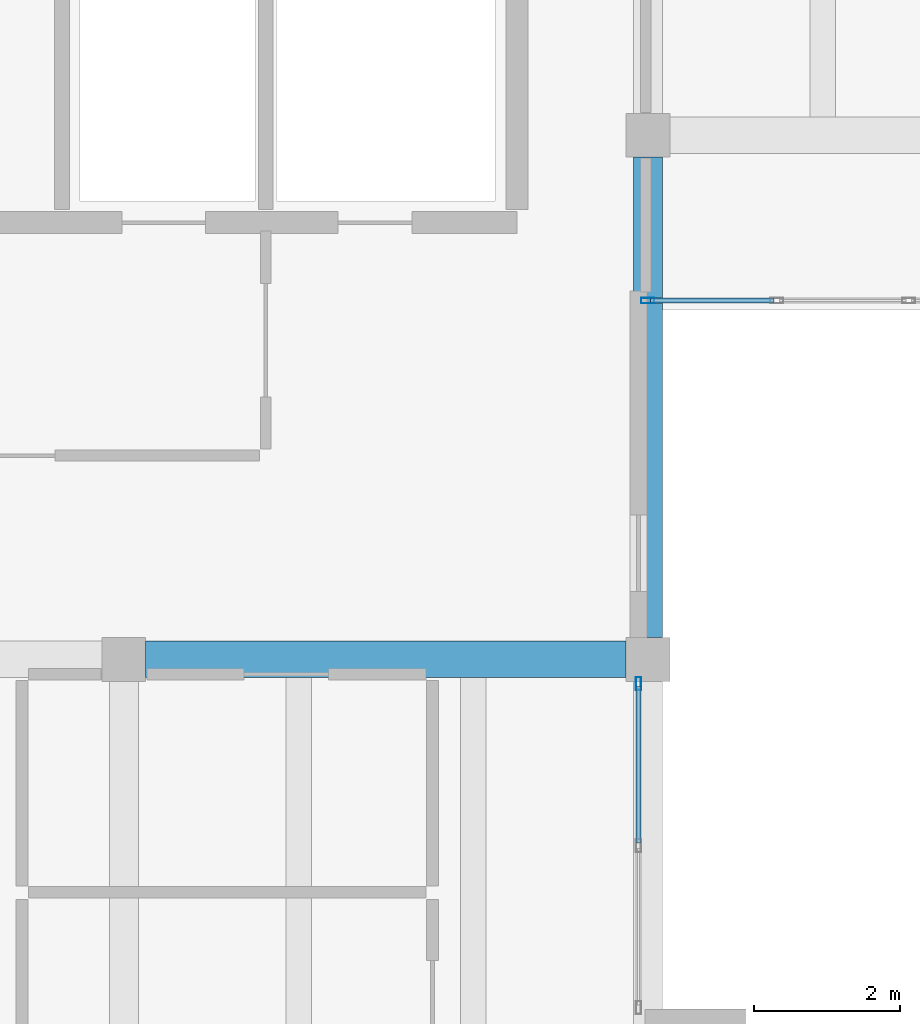
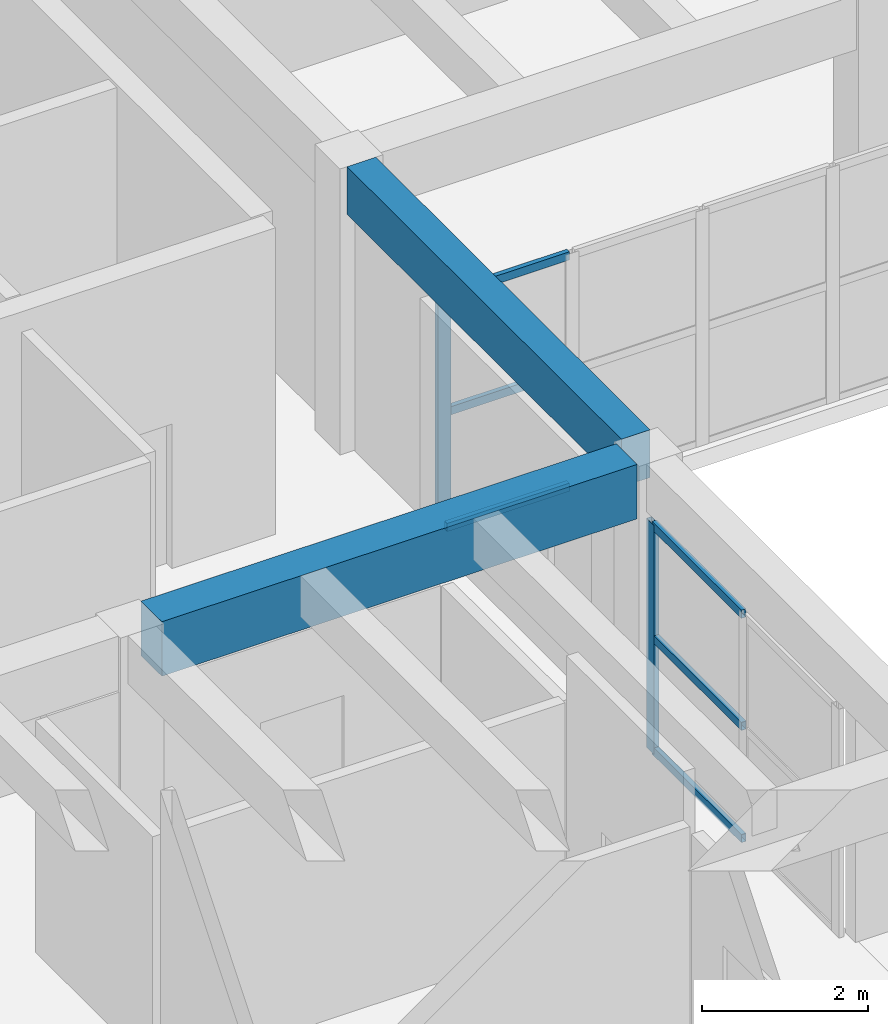
# One storey, part 79 of 153: 8 members, 2 beams, 2 elements without a shape of their own.
"""IFC4 building model written with IfcOpenShell, lengths in metres."""

from ifc_helpers import new_model, si_unit, direction, frame, origin, origin_2d, place, context, subcontext, project, spatial, rectangle, hollow_rectangle, extrude, material, material_profile, profile_set, type_object, element, aggregate, save


model = new_model("IFC4")

# Units and contexts
model_context = context("Model", 3, precision=1e-05, world=origin(), true_north=direction((0.0, 1.0)))
body_context = subcontext(model_context, "Body", "Model", "MODEL_VIEW")
ifc_project = project(units=[si_unit("LENGTHUNIT", "METRE"), si_unit("AREAUNIT", "SQUARE_METRE"), si_unit("VOLUMEUNIT", "CUBIC_METRE"), si_unit("PLANEANGLEUNIT", "RADIAN"), si_unit("MASSUNIT", "GRAM", prefix="KILO")], contexts=[model_context])

# Site, building, storey
site_placement = place(None, origin())
site = spatial("IfcSite", under=ifc_project, at=site_placement, CompositionType="ELEMENT")
building_placement = place(site_placement, origin())
building = spatial("IfcBuilding", under=site, at=building_placement, Name="Bramvelor Terrace Health Centre", CompositionType="ELEMENT")
storey_placement = place(building_placement, frame((0.0, 0.0, 4.800048828125)))
storey = spatial("IfcBuildingStorey", under=building, at=storey_placement, Name="L02", CompositionType="ELEMENT", Elevation=4.800048828125)

# Beams
ifc_material_1 = material(Name="Concrete C40/50", Category="concrete")
ifc_material_profile_1 = material_profile(ifc_material_1, rectangle(XDim=0.39990234375, YDim=0.699951171875, at=origin_2d()), Name="RC 400x700")
ifc_profile_set_1 = profile_set([ifc_material_profile_1], Name="Concrete C40/50")
beam_type_1 = type_object("IfcBeamType", Name="BM-RC-G700", PredefinedType="BEAM", material=ifc_profile_set_1)
beam_1_placement = place(storey_placement, frame((14.39990234375, 101.10009765625, 3.849853515625), z_axis=(0.0, 1.0, 0.0), x_axis=(-1.0, 0.0, 0.0)))
element("IfcBeam", 1, at=beam_1_placement, inside=storey, type_object=beam_type_1, Name="L02 Floor Girder", PredefinedType="BEAM", context=body_context, shape_type="SweptSolid", body=[
    extrude(rectangle(XDim=0.39990234375, YDim=0.699951171875, at=origin_2d()), origin(), (0.0, 0.0, 1.0), 6.599853515625),
])
ifc_material_2 = material(Name="Concrete C40/50", Category="concrete")
ifc_material_profile_2 = material_profile(ifc_material_2, rectangle(XDim=0.5, YDim=0.800048828125, at=origin_2d()), Name="RC 500x800")
ifc_profile_set_2 = profile_set([ifc_material_profile_2], Name="Concrete C40/50")
beam_type_2 = type_object("IfcBeamType", Name="BM-RC-G800", PredefinedType="BEAM", material=ifc_profile_set_2)
beam_2_placement = place(storey_placement, frame((7.5, 100.800048828125, 3.800048828125), z_axis=(1.0, 0.0, 0.0), x_axis=(0.0, 1.0, 0.0)))
element("IfcBeam", 2, at=beam_2_placement, inside=storey, type_object=beam_type_2, Name="L02 Floor Girder", PredefinedType="BEAM", context=body_context, shape_type="SweptSolid", body=[
    extrude(rectangle(XDim=0.5, YDim=0.800048828125, at=origin_2d()), origin(), (0.0, 0.0, 1.0), 6.60009765625),
])

# Curtain wall, member
ifc_material_3 = material(Name="Anodized aluminium and double low-E glass", Category="aluminium")
curtain_wall_type_1 = type_object("IfcCurtainWallType", Name="CW-SYS-21", PredefinedType="NOTDEFINED", material=ifc_material_3)
curtain_wall_1_placement = place(storey_placement, origin())
curtain_wall_1 = element("IfcCurtainWall", 3, at=curtain_wall_1_placement, inside=storey, type_object=curtain_wall_type_1, Name="L02 Unitized Curtain Wall 143", PredefinedType="NOTDEFINED")
ifc_material_4 = material(Name="Anodized aluminium 6063-T6", Category="aluminium")
ifc_material_profile_3 = material_profile(ifc_material_4, hollow_rectangle(XDim=0.074951171875, YDim=0.179931640625, WallThickness=0.00341796875, at=origin_2d()), Name="ALU-MUL 75x180x3.5")
ifc_profile_set_3 = profile_set([ifc_material_profile_3], Name="Anodized aluminium 6063-T6")
member_type_1 = type_object("IfcMemberType", Name="CW-MUL-65x180", PredefinedType="MULLION", material=ifc_profile_set_3)
member_1_placement = place(storey_placement, frame((14.27001953125, 100.467529296875, 0.0), z_axis=(0.0, 0.0, 1.0), x_axis=(1.0, 0.0, 0.0)))
member_1 = element("IfcMember", 4, at=member_1_placement, type_object=member_type_1, Name="CW-21 mullion 1", PredefinedType="MULLION", context=body_context, shape_type="SweptSolid", body=[
    extrude(hollow_rectangle(XDim=0.074951171875, YDim=0.179931640625, WallThickness=0.00341796875, at=origin_2d()), origin(), (0.0, 0.0, 1.0), 3.35986328125),
])

ifc_material_5 = material(Name="Anodized aluminium and double low-E glass", Category="aluminium")
curtain_wall_type_2 = type_object("IfcCurtainWallType", Name="CW-SYS-23", PredefinedType="NOTDEFINED", material=ifc_material_5)
curtain_wall_2_placement = place(storey_placement, origin())
curtain_wall_2 = element("IfcCurtainWall", 5, at=curtain_wall_2_placement, inside=storey, type_object=curtain_wall_type_2, Name="L02 Unitized Curtain Wall 145", PredefinedType="NOTDEFINED")
member_2_placement = place(storey_placement, frame((14.3974609375, 105.72998046875, 0.0), z_axis=(0.0, 0.0, 1.0), x_axis=(0.0, -1.0, 0.0)))
member_2 = element("IfcMember", 6, at=member_2_placement, type_object=member_type_1, Name="CW-23 mullion 5", PredefinedType="MULLION", context=body_context, shape_type="SweptSolid", body=[
    extrude(hollow_rectangle(XDim=0.074951171875, YDim=0.179931640625, WallThickness=0.00341796875, at=origin_2d()), origin(), (0.0, 0.0, 1.0), 3.4599609375),
])

# Member
ifc_material_6 = material(Name="Anodized aluminium 6063-T6", Category="aluminium")
ifc_material_profile_4 = material_profile(ifc_material_6, hollow_rectangle(XDim=0.06494140625, YDim=0.1201171875, WallThickness=0.0029296875, at=origin_2d()), Name="ALU-TRN 65x120x3.0")
ifc_profile_set_4 = profile_set([ifc_material_profile_4], Name="Anodized aluminium 6063-T6")
member_type_2 = type_object("IfcMemberType", Name="CW-TRN-65x150", PredefinedType="USERDEFINED", material=ifc_profile_set_4)
member_3_placement = place(storey_placement, frame((14.27001953125, 100.429931640625, 0.032470703125), z_axis=(0.0, -1.0, 0.0), x_axis=(1.0, 0.0, 0.0)))
member_3 = element("IfcMember", 7, at=member_3_placement, type_object=member_type_2, Name="CW-21 transom 1.1", ObjectType="TRANSOM", PredefinedType="USERDEFINED", context=body_context, shape_type="SweptSolid", body=[
    extrude(hollow_rectangle(XDim=0.06494140625, YDim=0.1201171875, WallThickness=0.0029296875, at=origin_2d()), origin(), (0.0, 0.0, 1.0), 2.14990234375),
])

member_4_placement = place(storey_placement, frame((14.27001953125, 100.429931640625, 1.679931640625), z_axis=(0.0, -1.0, 0.0), x_axis=(1.0, 0.0, 0.0)))
member_4 = element("IfcMember", 8, at=member_4_placement, type_object=member_type_2, Name="CW-21 transom 1.2", ObjectType="TRANSOM", PredefinedType="USERDEFINED", context=body_context, shape_type="SweptSolid", body=[
    extrude(hollow_rectangle(XDim=0.06494140625, YDim=0.1201171875, WallThickness=0.0029296875, at=origin_2d()), origin(), (0.0, 0.0, 1.0), 2.14990234375),
])

member_5_placement = place(storey_placement, frame((14.27001953125, 100.429931640625, 3.327392578125), z_axis=(0.0, -1.0, 0.0), x_axis=(1.0, 0.0, 0.0)))
member_5 = element("IfcMember", 9, at=member_5_placement, type_object=member_type_2, Name="CW-21 transom 1.3", ObjectType="TRANSOM", PredefinedType="USERDEFINED", context=body_context, shape_type="SweptSolid", body=[
    extrude(hollow_rectangle(XDim=0.06494140625, YDim=0.1201171875, WallThickness=0.0029296875, at=origin_2d()), origin(), (0.0, 0.0, 1.0), 2.14990234375),
])

aggregate(curtain_wall_1, [member_1, member_3, member_4, member_5])

member_6_placement = place(storey_placement, frame((16.132568359375, 105.72998046875, 0.032470703125), z_axis=(-1.0, 0.0, 0.0), x_axis=(0.0, -1.0, 0.0)))
member_6 = element("IfcMember", 10, at=member_6_placement, type_object=member_type_2, Name="CW-23 transom 4.1", ObjectType="TRANSOM", PredefinedType="USERDEFINED", context=body_context, shape_type="SweptSolid", body=[
    extrude(hollow_rectangle(XDim=0.06494140625, YDim=0.1201171875, WallThickness=0.0029296875, at=origin_2d()), origin(), (0.0, 0.0, 1.0), 1.697509765625),
])

member_7_placement = place(storey_placement, frame((16.132568359375, 105.72998046875, 1.72998046875), z_axis=(-1.0, 0.0, 0.0), x_axis=(0.0, -1.0, 0.0)))
member_7 = element("IfcMember", 11, at=member_7_placement, type_object=member_type_2, Name="CW-23 transom 4.2", ObjectType="TRANSOM", PredefinedType="USERDEFINED", context=body_context, shape_type="SweptSolid", body=[
    extrude(hollow_rectangle(XDim=0.06494140625, YDim=0.1201171875, WallThickness=0.0029296875, at=origin_2d()), origin(), (0.0, 0.0, 1.0), 1.697509765625),
])

member_8_placement = place(storey_placement, frame((16.132568359375, 105.72998046875, 3.427490234375), z_axis=(-1.0, 0.0, 0.0), x_axis=(0.0, -1.0, 0.0)))
member_8 = element("IfcMember", 12, at=member_8_placement, type_object=member_type_2, Name="CW-23 transom 4.3", ObjectType="TRANSOM", PredefinedType="USERDEFINED", context=body_context, shape_type="SweptSolid", body=[
    extrude(hollow_rectangle(XDim=0.06494140625, YDim=0.1201171875, WallThickness=0.0029296875, at=origin_2d()), origin(), (0.0, 0.0, 1.0), 1.697509765625),
])

aggregate(curtain_wall_2, [member_2, member_6, member_7, member_8])

save(model, "model.ifc")
